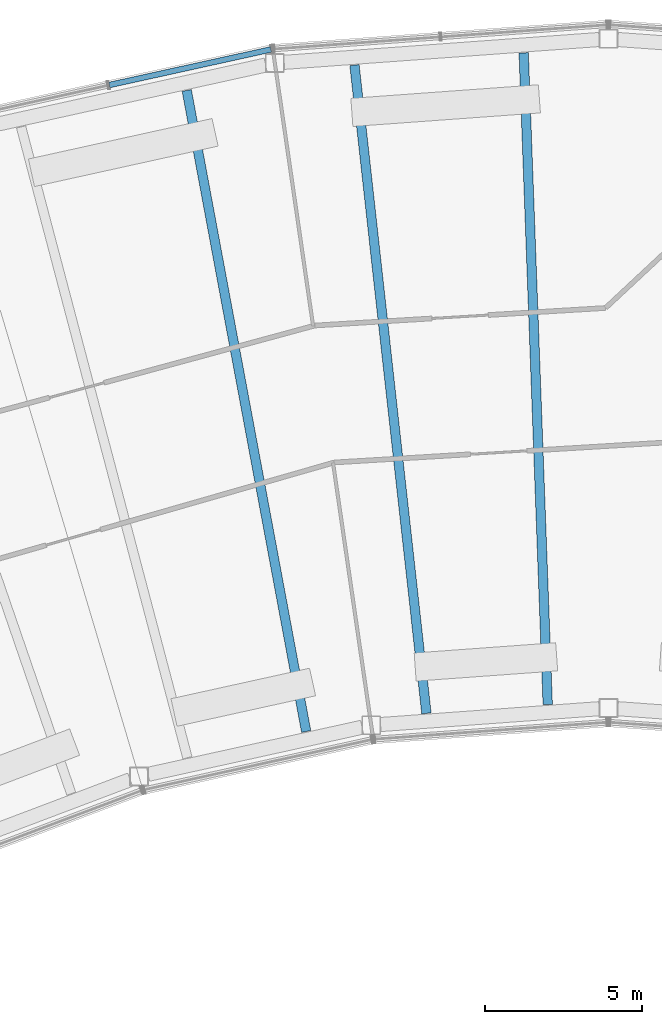
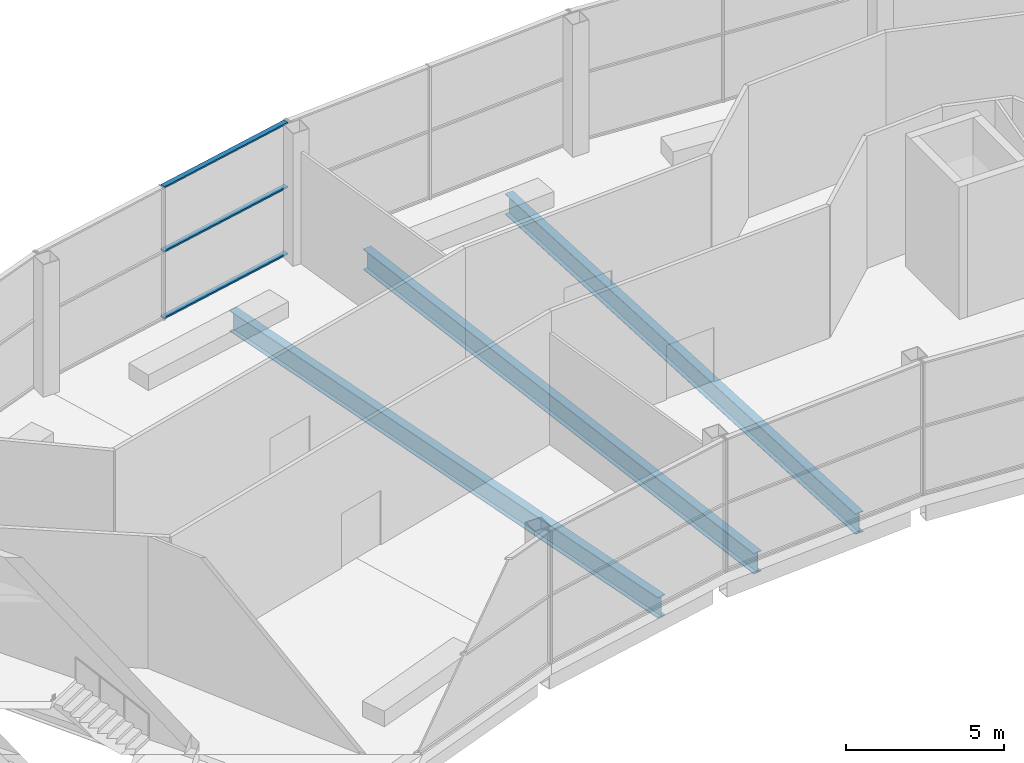
# One storey, part 17 of 43: 3 beams, 3 members, 1 element without a shape of its own.
"""IFC4 building model written with IfcOpenShell, lengths in metres."""

from ifc_helpers import new_model, si_unit, direction, frame, origin, origin_2d, place, context, subcontext, project, spatial, hollow_rectangle, i_section, extrude, material, layer, layer_set, material_profile, profile_set, type_object, element, aggregate, save


model = new_model("IFC4")

# Units and contexts
model_context = context("Model", 3, precision=1e-05, world=origin(), true_north=direction((0.0, 1.0)))
body_context = subcontext(model_context, "Body", "Model", "MODEL_VIEW")
ifc_project = project(units=[si_unit("LENGTHUNIT", "METRE"), si_unit("AREAUNIT", "SQUARE_METRE"), si_unit("VOLUMEUNIT", "CUBIC_METRE"), si_unit("PLANEANGLEUNIT", "RADIAN"), si_unit("MASSUNIT", "GRAM", prefix="KILO")], contexts=[model_context])

# Site, building, storey
site_placement = place(None, origin())
site = spatial("IfcSite", under=ifc_project, at=site_placement, CompositionType="ELEMENT")
building_placement = place(site_placement, origin())
building = spatial("IfcBuilding", under=site, at=building_placement, Name="Tuul Gate Civic Tower", CompositionType="ELEMENT")
storey_placement = place(building_placement, frame((0.0, 0.0, 349.10009765625)))
storey = spatial("IfcBuildingStorey", under=building, at=storey_placement, Name="Observation level 1", CompositionType="ELEMENT", Elevation=349.10009765625)

# Curtain wall, members
ifc_material_1 = material(Name="Stainless steel", Category="steel")
ifc_layer = layer(ifc_material_1, 0.199951171875)
ifc_layer_set = layer_set([ifc_layer], Name="Stainless steel")
curtain_wall_type = type_object("IfcCurtainWallType", Name="Curtain wall CW4", PredefinedType="NOTDEFINED", material=ifc_layer_set)
curtain_wall_placement = place(storey_placement, origin())
curtain_wall = element("IfcCurtainWall", 1, at=curtain_wall_placement, inside=storey, type_object=curtain_wall_type, Name="Curtain wall CW4", PredefinedType="NOTDEFINED")
ifc_material_2 = material(Name="Stainless steel", Category="steel")
ifc_material_profile_1 = material_profile(ifc_material_2, hollow_rectangle(XDim=0.179931640625, YDim=0.06005859375, WallThickness=0.006103515625, at=origin_2d()), Name="CW4 transom")
ifc_profile_set_1 = profile_set([ifc_material_profile_1], Name="Stainless steel")
member_type = type_object("IfcMemberType", Name="CW4 transom", PredefinedType="USERDEFINED", material=ifc_profile_set_1)
member_1_placement = place(storey_placement, frame((-8.58056640625, 13.489990234375, 0.02978515625), z_axis=(-0.976573796049, -0.215182761555, 0.0), x_axis=(0.215182761555, -0.976573796049, 0.0)))
member_1 = element("IfcMember", 2, at=member_1_placement, type_object=member_type, Name="Transom", ObjectType="TRANSOM", PredefinedType="USERDEFINED", context=body_context, shape_type="SweptSolid", body=[
    extrude(hollow_rectangle(XDim=0.179931640625, YDim=0.06005859375, WallThickness=0.006103515625, at=origin_2d()), origin(), (0.0, 0.0, 1.0), 5.281494140625),
])
member_2_placement = place(storey_placement, frame((-8.58056640625, 13.489990234375, 2.599853515625), z_axis=(-0.976573796049, -0.215182761555, 0.0), x_axis=(0.215182761555, -0.976573796049, 0.0)))
member_2 = element("IfcMember", 3, at=member_2_placement, type_object=member_type, Name="Transom", ObjectType="TRANSOM", PredefinedType="USERDEFINED", context=body_context, shape_type="SweptSolid", body=[
    extrude(hollow_rectangle(XDim=0.179931640625, YDim=0.06005859375, WallThickness=0.006103515625, at=origin_2d()), origin(), (0.0, 0.0, 1.0), 5.281494140625),
])
member_3_placement = place(storey_placement, frame((-8.58056640625, 13.489990234375, 5.06982421875), z_axis=(-0.976573796049, -0.215182761555, 0.0), x_axis=(0.215182761555, -0.976573796049, 0.0)))
member_3 = element("IfcMember", 4, at=member_3_placement, type_object=member_type, Name="Transom", ObjectType="TRANSOM", PredefinedType="USERDEFINED", context=body_context, shape_type="SweptSolid", body=[
    extrude(hollow_rectangle(XDim=0.179931640625, YDim=0.06005859375, WallThickness=0.006103515625, at=origin_2d()), origin(), (0.0, 0.0, 1.0), 5.281494140625),
])
aggregate(curtain_wall, [member_1, member_2, member_3])

# Beams
ifc_material_3 = material(Name="Steel S355", Category="steel")
ifc_material_profile_2 = material_profile(ifc_material_3, i_section(OverallWidth=0.300048828125, OverallDepth=0.800048828125, WebThickness=0.013916015625, FlangeThickness=0.02490234375, at=origin_2d()), Name="PG800x300x14x25")
ifc_profile_set_2 = profile_set([ifc_material_profile_2], Name="Steel S355")
beam_type = type_object("IfcBeamType", Name="STR-FLOOR BEAM-PG800x300x14x25", PredefinedType="BEAM", material=ifc_profile_set_2)
beam_1_placement = place(storey_placement, frame((0.251708984375, -7.41796875, -0.800048828125), z_axis=(-0.036832478792, 0.999321454041, 0.0), x_axis=(-0.999321454041, -0.036832478792, 0.0)))
element("IfcBeam", 5, at=beam_1_placement, inside=storey, type_object=beam_type, Name="Floor beam", PredefinedType="BEAM", context=body_context, shape_type="SweptSolid", body=[
    extrude(i_section(OverallWidth=0.300048828125, OverallDepth=0.800048828125, WebThickness=0.013916015625, FlangeThickness=0.02490234375, at=origin_2d()), origin(), (0.0, 0.0, 1.0), 20.813232421875),
])
beam_2_placement = place(storey_placement, frame((-3.619140625, -7.69873046875, -0.800048828125), z_axis=(-0.110286058964, 0.993899886909, 0.0), x_axis=(-0.993899886909, -0.110286058964, 0.0)))
element("IfcBeam", 6, at=beam_2_placement, inside=storey, type_object=beam_type, Name="Floor beam", PredefinedType="BEAM", context=body_context, shape_type="SweptSolid", body=[
    extrude(i_section(OverallWidth=0.300048828125, OverallDepth=0.800048828125, WebThickness=0.013916015625, FlangeThickness=0.02490234375, at=origin_2d()), origin(), (0.0, 0.0, 1.0), 20.8154296875),
])
beam_3_placement = place(storey_placement, frame((-7.45654296875, -8.2783203125, -0.800048828125), z_axis=(-0.183138116697, 0.983087193596, 0.0), x_axis=(-0.983087193596, -0.183138116697, 0.0)))
element("IfcBeam", 7, at=beam_3_placement, inside=storey, type_object=beam_type, Name="Floor beam", PredefinedType="BEAM", context=body_context, shape_type="SweptSolid", body=[
    extrude(i_section(OverallWidth=0.300048828125, OverallDepth=0.800048828125, WebThickness=0.013916015625, FlangeThickness=0.02490234375, at=origin_2d()), origin(), (0.0, 0.0, 1.0), 20.81103515625),
])

save(model, "model.ifc")
